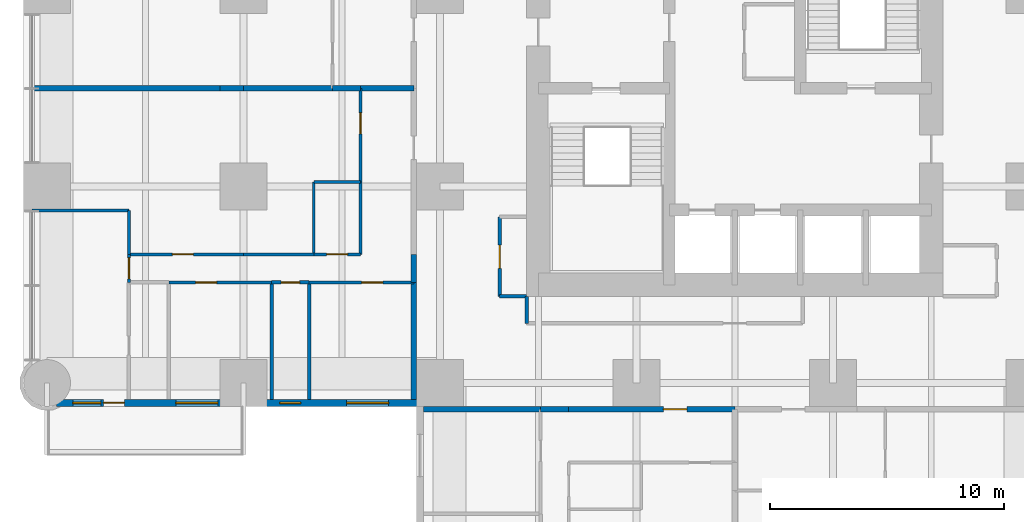
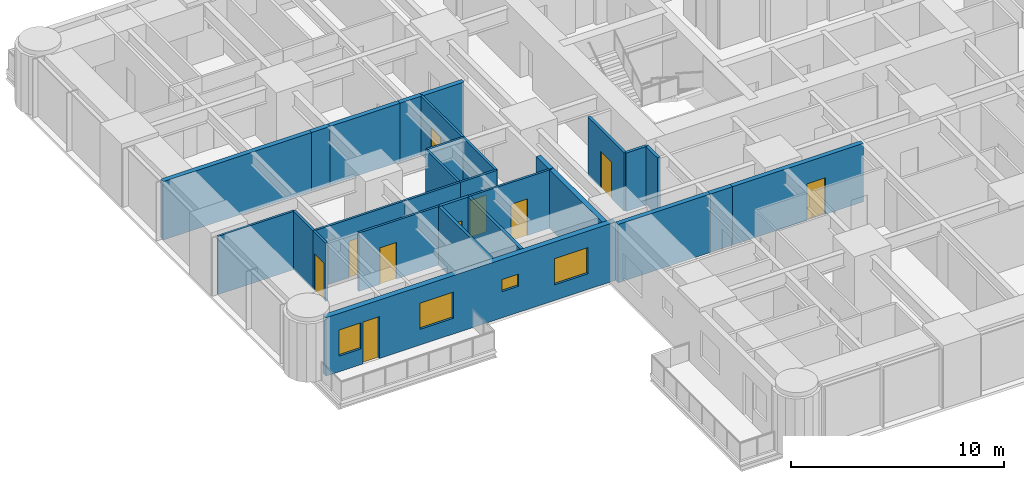
# One storey, part 8 of 17: 29 walls, 10 doors, 4 windows, 14 openings.
"""IFC4 building model written with IfcOpenShell, lengths in metres."""

from ifc_helpers import new_model, si_unit, direction, frame, frame_2d, origin, place, context, subcontext, project, spatial, rectangle, extrude, material, layer, layer_set, type_object, element, fill, save


model = new_model("IFC4")

# Units and contexts
model_context = context("Model", 3, precision=1e-05, world=origin(), true_north=direction((0.0, 1.0)))
body_context = subcontext(model_context, "Body", "Model", "MODEL_VIEW")
ifc_project = project(units=[si_unit("LENGTHUNIT", "METRE"), si_unit("AREAUNIT", "SQUARE_METRE"), si_unit("VOLUMEUNIT", "CUBIC_METRE"), si_unit("PLANEANGLEUNIT", "RADIAN"), si_unit("MASSUNIT", "GRAM", prefix="KILO")], contexts=[model_context])

# Site, building, storey
site_placement = place(None, origin())
site = spatial("IfcSite", under=ifc_project, at=site_placement, CompositionType="ELEMENT")
building_placement = place(site_placement, origin())
building = spatial("IfcBuilding", under=site, at=building_placement, Name="Torre Alcanfor", CompositionType="ELEMENT")
storey_placement = place(building_placement, frame((0.0, 0.0, 99.300048828125)))
storey = spatial("IfcBuildingStorey", under=building, at=storey_placement, Name="L25", CompositionType="ELEMENT", Elevation=99.300048828125)

# Wall, opening, door
ifc_material_1 = material(Name="Concrete block masonry, hollow blocks NMX-C-404 9 MPa", Category="masonry")
ifc_layer_1 = layer(ifc_material_1, 0.25)
ifc_layer_set_1 = layer_set([ifc_layer_1], Name="Apartment entrance wall 250 EI 60")
wall_type_1 = type_object("IfcWallType", Name="Apartment entrance wall 250 EI 60", PredefinedType="PARTITIONING", material=ifc_layer_set_1)
wall_1_placement = place(storey_placement, frame((29.39990234375, 15.675048828125, 0.0), z_axis=(0.0, 0.0, 1.0), x_axis=(-1.0, 0.0, 0.0)))
wall_1 = element("IfcWall", 1, at=wall_1_placement, inside=storey, type_object=wall_type_1, Name="Partition L25-CORR / L25-S2-ZAG", PredefinedType="PARTITIONING", context=body_context, shape_type="SweptSolid", body=[
    extrude(rectangle(XDim=7.099853515625, YDim=0.25, at=frame_2d((3.5498046875, 0.0))), origin(), (0.0, 0.0, 1.0), 3.349853515625),
])
opening_1_placement = place(wall_1_placement, frame((2.050048828125, 0.0, 0.0)))
opening_1 = element("IfcOpeningElement", 2, at=opening_1_placement, cuts=wall_1, Name="Opening D-A1", PredefinedType="OPENING", context=body_context, shape_type="SweptSolid", body=[
    extrude(rectangle(XDim=1.0, YDim=2.10009765625, at=frame_2d((0.5, 1.050048828125))), frame((0.0, 0.135009765625, 0.0), z_axis=(0.0, -1.0, 0.0), x_axis=(1.0, 0.0, 0.0)), (0.0, 0.0, 1.0), 0.27001953125),
])
ifc_material_2 = material(Name="Galvanised steel sheet ASTM A653", Category="steel")
door_type_1 = type_object("IfcDoorType", Name="Apartment entrance door FD60 1000x2100", OperationType="SINGLE_SWING_LEFT", PredefinedType="DOOR", material=ifc_material_2)
door_1_placement = place(opening_1_placement, origin())
door_1 = element("IfcDoor", 3, at=door_1_placement, inside=storey, type_object=door_type_1, Name="Apartment entrance L25-S2", OperationType="SINGLE_SWING_LEFT", OverallHeight=2.10009765625, OverallWidth=1.0, PredefinedType="DOOR", context=body_context, shape_type="SweptSolid", body=[
    extrude(rectangle(XDim=1.0, YDim=2.10009765625, at=frame_2d((0.5, 1.050048828125))), frame((0.0, 0.02490234375, 0.0), z_axis=(0.0, -1.0, 0.0), x_axis=(1.0, 0.0, 0.0)), (0.0, 0.0, 1.0), 0.050048828125),
])
fill(opening_1, door_1)

# Walls
wall_2_placement = place(storey_placement, frame((22.300048828125, 15.675048828125, 0.0), z_axis=(0.0, 0.0, 1.0), x_axis=(-1.0, 0.0, 0.0)))
element("IfcWall", 4, at=wall_2_placement, inside=storey, type_object=wall_type_1, Name="Partition L25-CORR / L25-S2-HALL", PredefinedType="PARTITIONING", context=body_context, shape_type="SweptSolid", body=[
    extrude(rectangle(XDim=1.199951171875, YDim=0.25, at=frame_2d((0.60009765625, 0.0))), origin(), (0.0, 0.0, 1.0), 3.349853515625),
])
wall_3_placement = place(storey_placement, frame((21.10009765625, 15.675048828125, 0.0), z_axis=(0.0, 0.0, 1.0), x_axis=(-1.0, 0.0, 0.0)))
element("IfcWall", 5, at=wall_3_placement, inside=storey, type_object=wall_type_1, Name="Partition L25-CORR / L25-S2-BED3", PredefinedType="PARTITIONING", context=body_context, shape_type="SweptSolid", body=[
    extrude(rectangle(XDim=5.0, YDim=0.25, at=frame_2d((2.5, 0.0))), origin(), (0.0, 0.0, 1.0), 3.349853515625),
])
wall_4_placement = place(storey_placement, frame((15.675048828125, 21.10009765625, 0.0), z_axis=(0.0, 0.0, 1.0), x_axis=(0.0, 1.0, 0.0)))
element("IfcWall", 6, at=wall_4_placement, inside=storey, type_object=wall_type_1, Name="Partition L25-CORR / L25-W1-HALL", PredefinedType="PARTITIONING", context=body_context, shape_type="SweptSolid", body=[
    extrude(rectangle(XDim=1.199951171875, YDim=0.25, at=frame_2d((0.60009765625, 0.0))), origin(), (0.0, 0.0, 1.0), 3.349853515625),
])
wall_5_placement = place(storey_placement, frame((15.675048828125, 16.10009765625, 0.0), z_axis=(0.0, 0.0, 1.0), x_axis=(0.0, 1.0, 0.0)))
element("IfcWall", 7, at=wall_5_placement, inside=storey, type_object=wall_type_1, Name="Partition L25-CORR / L25-W1-BED3", PredefinedType="PARTITIONING", context=body_context, shape_type="SweptSolid", body=[
    extrude(rectangle(XDim=5.0, YDim=0.25, at=frame_2d((2.5, 0.0))), origin(), (0.0, 0.0, 1.0), 3.349853515625),
])

# Wall, opening, door
ifc_material_3 = material(Name="Gypsum board on steel studs", Category="steel")
ifc_layer_2 = layer(ifc_material_3, 0.1201171875)
ifc_layer_set_2 = layer_set([ifc_layer_2], Name="Apartment partition 120")
wall_type_2 = type_object("IfcWallType", Name="Apartment partition 120", PredefinedType="PARTITIONING", material=ifc_layer_set_2)
wall_6_placement = place(storey_placement, frame((13.39990234375, 29.39990234375, 0.0), z_axis=(0.0, 0.0, 1.0), x_axis=(0.0, -1.0, 0.0)))
wall_6 = element("IfcWall", 8, at=wall_6_placement, inside=storey, type_object=wall_type_2, Name="Partition L25-W1-ZAG / L25-W1-KITCHEN", PredefinedType="PARTITIONING", context=body_context, shape_type="SweptSolid", body=[
    extrude(rectangle(XDim=4.0, YDim=0.1201171875, at=frame_2d((2.0, 0.0))), origin(), (0.0, 0.0, 1.0), 3.349853515625),
])
opening_2_placement = place(wall_6_placement, frame((1.050048828125, 0.0, 0.0)))
opening_2 = element("IfcOpeningElement", 9, at=opening_2_placement, cuts=wall_6, Name="Opening D-R1", PredefinedType="OPENING", context=body_context, shape_type="SweptSolid", body=[
    extrude(rectangle(XDim=0.89990234375, YDim=2.10009765625, at=frame_2d((0.449951171875, 1.050048828125))), frame((0.0, 0.070068359375, 0.0), z_axis=(0.0, -1.0, 0.0), x_axis=(1.0, 0.0, 0.0)), (0.0, 0.0, 1.0), 0.14013671875),
])
ifc_material_4 = material(Name="Timber", Category="wood")
door_type_2 = type_object("IfcDoorType", Name="Internal door 900x2100", OperationType="SINGLE_SWING_LEFT", PredefinedType="DOOR", material=ifc_material_4)
door_2_placement = place(opening_2_placement, frame((0.89990234375, 0.0, 0.0), z_axis=(0.0, 0.0, 1.0), x_axis=(-1.0, 0.0, 0.0)))
door_2 = element("IfcDoor", 10, at=door_2_placement, inside=storey, type_object=door_type_2, Name="Door L25-W1 kitchen", OperationType="SINGLE_SWING_RIGHT", OverallHeight=2.10009765625, OverallWidth=0.89990234375, PredefinedType="DOOR", context=body_context, shape_type="SweptSolid", body=[
    extrude(rectangle(XDim=0.89990234375, YDim=2.10009765625, at=frame_2d((0.449951171875, 1.050048828125))), frame((0.0, 0.025146484375, 0.0), z_axis=(0.0, -1.0, 0.0), x_axis=(1.0, 0.0, 0.0)), (0.0, 0.0, 1.0), 0.050048828125),
])
fill(opening_2, door_2)

# Walls
wall_7_placement = place(storey_placement, frame((13.39990234375, 25.39990234375, 0.0), z_axis=(0.0, 0.0, 1.0), x_axis=(0.0, -1.0, 0.0)))
element("IfcWall", 11, at=wall_7_placement, inside=storey, type_object=wall_type_2, Name="Partition L25-W1-ZAG / L25-W1-UTIL", PredefinedType="PARTITIONING", context=body_context, shape_type="SweptSolid", body=[
    extrude(rectangle(XDim=3.099853515625, YDim=0.1201171875, at=frame_2d((1.5498046875, 0.0))), origin(), (0.0, 0.0, 1.0), 3.349853515625),
])
wall_8_placement = place(storey_placement, frame((13.39990234375, 25.39990234375, 0.0), z_axis=(0.0, 0.0, 1.0), x_axis=(-1.0, 0.0, 0.0)))
element("IfcWall", 12, at=wall_8_placement, inside=storey, type_object=wall_type_2, Name="Partition L25-W1-KITCHEN / L25-W1-UTIL", PredefinedType="PARTITIONING", context=body_context, shape_type="SweptSolid", body=[
    extrude(rectangle(XDim=2.0, YDim=0.1201171875, at=frame_2d((1.0, 0.0))), origin(), (0.0, 0.0, 1.0), 3.349853515625),
])
wall_9_placement = place(storey_placement, frame((11.39990234375, 25.39990234375, 0.0), z_axis=(0.0, 0.0, 1.0), x_axis=(0.0, -1.0, 0.0)))
element("IfcWall", 13, at=wall_9_placement, inside=storey, type_object=wall_type_2, Name="Partition L25-W1-KITCHEN / L25-W1-UTIL", PredefinedType="PARTITIONING", context=body_context, shape_type="SweptSolid", body=[
    extrude(rectangle(XDim=3.099853515625, YDim=0.1201171875, at=frame_2d((1.5498046875, 0.0))), origin(), (0.0, 0.0, 1.0), 3.349853515625),
])
wall_10_placement = place(storey_placement, frame((11.39990234375, 22.300048828125, 0.0), z_axis=(0.0, 0.0, 1.0), x_axis=(-1.0, 0.0, 0.0)))
element("IfcWall", 14, at=wall_10_placement, inside=storey, type_object=wall_type_2, Name="Partition L25-W1-KITCHEN / L25-W1-HALL", PredefinedType="PARTITIONING", context=body_context, shape_type="SweptSolid", body=[
    extrude(rectangle(XDim=3.0, YDim=0.1201171875, at=frame_2d((1.5, 0.0))), origin(), (0.0, 0.0, 1.0), 3.349853515625),
])

# Wall, opening, door
wall_11_placement = place(storey_placement, frame((11.39990234375, 22.300048828125, 0.0), z_axis=(0.0, 0.0, 1.0), x_axis=(1.0, 0.0, 0.0)))
wall_11 = element("IfcWall", 15, at=wall_11_placement, inside=storey, type_object=wall_type_2, Name="Partition L25-W1-UTIL / L25-W1-HALL", PredefinedType="PARTITIONING", context=body_context, shape_type="SweptSolid", body=[
    extrude(rectangle(XDim=2.0, YDim=0.1201171875, at=frame_2d((1.0, 0.0))), origin(), (0.0, 0.0, 1.0), 3.349853515625),
])
opening_3_placement = place(wall_11_placement, frame((0.550048828125, 0.0, 0.0)))
opening_3 = element("IfcOpeningElement", 16, at=opening_3_placement, cuts=wall_11, Name="Opening D-R1", PredefinedType="OPENING", context=body_context, shape_type="SweptSolid", body=[
    extrude(rectangle(XDim=0.89990234375, YDim=2.10009765625, at=frame_2d((0.449951171875, 1.050048828125))), frame((0.0, 0.070068359375, 0.0), z_axis=(0.0, -1.0, 0.0), x_axis=(1.0, 0.0, 0.0)), (0.0, 0.0, 1.0), 0.14013671875),
])
door_3_placement = place(opening_3_placement, origin())
door_3 = element("IfcDoor", 17, at=door_3_placement, inside=storey, type_object=door_type_2, Name="Door L25-W1 util", OperationType="SINGLE_SWING_LEFT", OverallHeight=2.10009765625, OverallWidth=0.89990234375, PredefinedType="DOOR", context=body_context, shape_type="SweptSolid", body=[
    extrude(rectangle(XDim=0.89990234375, YDim=2.10009765625, at=frame_2d((0.449951171875, 1.050048828125))), frame((0.0, 0.02490234375, 0.0), z_axis=(0.0, -1.0, 0.0), x_axis=(1.0, 0.0, 0.0)), (0.0, 0.0, 1.0), 0.050048828125),
])
fill(opening_3, door_3)

wall_12_placement = place(storey_placement, frame((8.39990234375, 22.300048828125, 0.0), z_axis=(0.0, 0.0, 1.0), x_axis=(-1.0, 0.0, 0.0)))
wall_12 = element("IfcWall", 18, at=wall_12_placement, inside=storey, type_object=wall_type_2, Name="Partition L25-W1-LIVING / L25-W1-HALL", PredefinedType="PARTITIONING", context=body_context, shape_type="SweptSolid", body=[
    extrude(rectangle(XDim=4.89990234375, YDim=0.1201171875, at=frame_2d((2.449951171875, 0.0))), origin(), (0.0, 0.0, 1.0), 3.349853515625),
])
opening_4_placement = place(wall_12_placement, frame((2.14990234375, 0.0, 0.0)))
opening_4 = element("IfcOpeningElement", 19, at=opening_4_placement, cuts=wall_12, Name="Opening D-R1", PredefinedType="OPENING", context=body_context, shape_type="SweptSolid", body=[
    extrude(rectangle(XDim=0.89990234375, YDim=2.10009765625, at=frame_2d((0.449951171875, 1.050048828125))), frame((0.0, 0.070068359375, 0.0), z_axis=(0.0, -1.0, 0.0), x_axis=(1.0, 0.0, 0.0)), (0.0, 0.0, 1.0), 0.14013671875),
])
door_4_placement = place(opening_4_placement, frame((0.89990234375, 0.0, 0.0), z_axis=(0.0, 0.0, 1.0), x_axis=(-1.0, 0.0, 0.0)))
door_4 = element("IfcDoor", 20, at=door_4_placement, inside=storey, type_object=door_type_2, Name="Door L25-W1 living", OperationType="SINGLE_SWING_LEFT", OverallHeight=2.10009765625, OverallWidth=0.89990234375, PredefinedType="DOOR", context=body_context, shape_type="SweptSolid", body=[
    extrude(rectangle(XDim=0.89990234375, YDim=2.10009765625, at=frame_2d((0.449951171875, 1.050048828125))), frame((0.0, 0.025146484375, 0.0), z_axis=(0.0, -1.0, 0.0), x_axis=(1.0, 0.0, 0.0)), (0.0, 0.0, 1.0), 0.050048828125),
])
fill(opening_4, door_4)

# Walls
wall_13_placement = place(storey_placement, frame((3.5, 22.300048828125, 0.0), z_axis=(0.0, 0.0, 1.0), x_axis=(0.0, 1.0, 0.0)))
element("IfcWall", 21, at=wall_13_placement, inside=storey, type_object=wall_type_2, Name="Partition L25-W1-LIVING / L25-W1-MASTER", PredefinedType="PARTITIONING", context=body_context, shape_type="SweptSolid", body=[
    extrude(rectangle(XDim=1.870849609375, YDim=0.1201171875, at=frame_2d((0.935546875, 0.0))), origin(), (0.0, 0.0, 1.0), 3.349853515625),
])
wall_14_placement = place(storey_placement, frame((3.5, 24.1708984375, 0.0), z_axis=(0.0, 0.0, 1.0), x_axis=(-1.0, 0.0, 0.0)))
element("IfcWall", 22, at=wall_14_placement, inside=storey, type_object=wall_type_2, Name="Partition L25-W1-LIVING / L25-W1-MASTER", PredefinedType="PARTITIONING", context=body_context, shape_type="SweptSolid", body=[
    extrude(rectangle(XDim=4.14990234375, YDim=0.1201171875, at=frame_2d((2.074951171875, 0.0))), origin(), (0.0, 0.0, 1.0), 3.349853515625),
])

# Wall, opening, door
wall_15_placement = place(storey_placement, frame((11.199951171875, 21.10009765625, 0.0), z_axis=(0.0, 0.0, 1.0), x_axis=(1.0, 0.0, 0.0)))
wall_15 = element("IfcWall", 23, at=wall_15_placement, inside=storey, type_object=wall_type_2, Name="Partition L25-W1-HALL / L25-W1-BED3", PredefinedType="PARTITIONING", context=body_context, shape_type="SweptSolid", body=[
    extrude(rectangle(XDim=4.47509765625, YDim=0.1201171875, at=frame_2d((2.237548828125, 0.0))), origin(), (0.0, 0.0, 1.0), 3.349853515625),
])
opening_5_placement = place(wall_15_placement, frame((2.25, 0.0, 0.0)))
opening_5 = element("IfcOpeningElement", 24, at=opening_5_placement, cuts=wall_15, Name="Opening D-R1", PredefinedType="OPENING", context=body_context, shape_type="SweptSolid", body=[
    extrude(rectangle(XDim=0.89990234375, YDim=2.10009765625, at=frame_2d((0.449951171875, 1.050048828125))), frame((0.0, 0.070068359375, 0.0), z_axis=(0.0, -1.0, 0.0), x_axis=(1.0, 0.0, 0.0)), (0.0, 0.0, 1.0), 0.14013671875),
])
door_5_placement = place(opening_5_placement, frame((0.89990234375, 0.0, 0.0), z_axis=(0.0, 0.0, 1.0), x_axis=(-1.0, 0.0, 0.0)))
door_5 = element("IfcDoor", 25, at=door_5_placement, inside=storey, type_object=door_type_2, Name="Door L25-W1 bed3", OperationType="SINGLE_SWING_LEFT", OverallHeight=2.10009765625, OverallWidth=0.89990234375, PredefinedType="DOOR", context=body_context, shape_type="SweptSolid", body=[
    extrude(rectangle(XDim=0.89990234375, YDim=2.10009765625, at=frame_2d((0.449951171875, 1.050048828125))), frame((0.0, 0.025146484375, 0.0), z_axis=(0.0, -1.0, 0.0), x_axis=(1.0, 0.0, 0.0)), (0.0, 0.0, 1.0), 0.050048828125),
])
fill(opening_5, door_5)

wall_16_placement = place(storey_placement, frame((5.199951171875, 21.10009765625, 0.0), z_axis=(0.0, 0.0, 1.0), x_axis=(1.0, 0.0, 0.0)))
wall_16 = element("IfcWall", 26, at=wall_16_placement, inside=storey, type_object=wall_type_2, Name="Partition L25-W1-HALL / L25-W1-BED2", PredefinedType="PARTITIONING", context=body_context, shape_type="SweptSolid", body=[
    extrude(rectangle(XDim=4.400146484375, YDim=0.1201171875, at=frame_2d((2.2001953125, 0.0))), origin(), (0.0, 0.0, 1.0), 3.349853515625),
])
opening_6_placement = place(wall_16_placement, frame((1.14990234375, 0.0, 0.0)))
opening_6 = element("IfcOpeningElement", 27, at=opening_6_placement, cuts=wall_16, Name="Opening D-R1", PredefinedType="OPENING", context=body_context, shape_type="SweptSolid", body=[
    extrude(rectangle(XDim=0.89990234375, YDim=2.10009765625, at=frame_2d((0.449951171875, 1.050048828125))), frame((0.0, 0.070068359375, 0.0), z_axis=(0.0, -1.0, 0.0), x_axis=(1.0, 0.0, 0.0)), (0.0, 0.0, 1.0), 0.14013671875),
])
door_6_placement = place(opening_6_placement, frame((0.89990234375, 0.0, 0.0), z_axis=(0.0, 0.0, 1.0), x_axis=(-1.0, 0.0, 0.0)))
door_6 = element("IfcDoor", 28, at=door_6_placement, inside=storey, type_object=door_type_2, Name="Door L25-W1 bed2", OperationType="SINGLE_SWING_RIGHT", OverallHeight=2.10009765625, OverallWidth=0.89990234375, PredefinedType="DOOR", context=body_context, shape_type="SweptSolid", body=[
    extrude(rectangle(XDim=0.89990234375, YDim=2.10009765625, at=frame_2d((0.449951171875, 1.050048828125))), frame((0.0, 0.025146484375, 0.0), z_axis=(0.0, -1.0, 0.0), x_axis=(1.0, 0.0, 0.0)), (0.0, 0.0, 1.0), 0.050048828125),
])
fill(opening_6, door_6)

wall_17_placement = place(storey_placement, frame((3.5, 22.300048828125, 0.0), z_axis=(0.0, 0.0, 1.0), x_axis=(0.0, -1.0, 0.0)))
wall_17 = element("IfcWall", 29, at=wall_17_placement, inside=storey, type_object=wall_type_2, Name="Partition L25-W1-HALL / L25-W1-MASTER", PredefinedType="PARTITIONING", context=body_context, shape_type="SweptSolid", body=[
    extrude(rectangle(XDim=1.199951171875, YDim=0.1201171875, at=frame_2d((0.60009765625, 0.0))), origin(), (0.0, 0.0, 1.0), 3.349853515625),
])
opening_7_placement = place(wall_17_placement, frame((0.14990234375, 0.0, 0.0)))
opening_7 = element("IfcOpeningElement", 30, at=opening_7_placement, cuts=wall_17, Name="Opening D-R1", PredefinedType="OPENING", context=body_context, shape_type="SweptSolid", body=[
    extrude(rectangle(XDim=0.89990234375, YDim=2.10009765625, at=frame_2d((0.449951171875, 1.050048828125))), frame((0.0, 0.070068359375, 0.0), z_axis=(0.0, -1.0, 0.0), x_axis=(1.0, 0.0, 0.0)), (0.0, 0.0, 1.0), 0.14013671875),
])
door_7_placement = place(opening_7_placement, frame((0.89990234375, 0.0, 0.0), z_axis=(0.0, 0.0, 1.0), x_axis=(-1.0, 0.0, 0.0)))
door_7 = element("IfcDoor", 31, at=door_7_placement, inside=storey, type_object=door_type_2, Name="Door L25-W1 master", OperationType="SINGLE_SWING_RIGHT", OverallHeight=2.10009765625, OverallWidth=0.89990234375, PredefinedType="DOOR", context=body_context, shape_type="SweptSolid", body=[
    extrude(rectangle(XDim=0.89990234375, YDim=2.10009765625, at=frame_2d((0.449951171875, 1.050048828125))), frame((0.0, 0.025146484375, 0.0), z_axis=(0.0, -1.0, 0.0), x_axis=(1.0, 0.0, 0.0)), (0.0, 0.0, 1.0), 0.050048828125),
])
fill(opening_7, door_7)

# Wall, openings, door, windows
ifc_material_5 = material(Name="Limestone cladding", Category="masonry")
ifc_layer_3 = layer(ifc_material_5, 0.0400390625, Name="Facing")
ifc_material_6 = material(Name="Ventilated air cavity")
ifc_layer_4 = layer(ifc_material_6, 0.02001953125, ventilated=True, Name="Ventilated joint")
ifc_material_7 = material(Name="Mineral wool insulation", Category="insulation")
ifc_layer_5 = layer(ifc_material_7, 0.10009765625, Name="Insulation")
ifc_material_8 = material(Name="Concrete f'c 35 MPa", Category="concrete")
ifc_layer_6 = layer(ifc_material_8, 0.139892578125, Name="Backing")
ifc_layer_set_3 = layer_set([ifc_layer_3, ifc_layer_4, ifc_layer_5, ifc_layer_6], Name="External wall stone-clad 300")
wall_type_3 = type_object("IfcWallType", Name="External wall stone-clad 300", PredefinedType="SOLIDWALL", material=ifc_layer_set_3)
wall_18_placement = place(storey_placement, frame((0.39990234375, 15.949951171875, 0.0), z_axis=(0.0, 0.0, 1.0), x_axis=(1.0, 0.0, 0.0)))
wall_18 = element("IfcWall", 32, at=wall_18_placement, inside=storey, type_object=wall_type_3, Name="External wall L25 3", PredefinedType="SOLIDWALL", context=body_context, shape_type="SweptSolid", body=[
    extrude(rectangle(XDim=15.7001953125, YDim=0.300048828125, at=frame_2d((7.85009765625, 0.0))), origin(), (0.0, 0.0, 1.0), 3.349853515625),
])
opening_8_placement = place(wall_18_placement, frame((12.39990234375, 0.0, 0.89990234375)))
opening_8 = element("IfcOpeningElement", 33, at=opening_8_placement, cuts=wall_18, Name="Opening W2", PredefinedType="OPENING", context=body_context, shape_type="SweptSolid", body=[
    extrude(rectangle(XDim=1.800048828125, YDim=1.5, at=frame_2d((0.89990234375, 0.75))), frame((0.0, 0.159912109375, 0.0), z_axis=(0.0, -1.0, 0.0), x_axis=(1.0, 0.0, 0.0)), (0.0, 0.0, 1.0), 0.320068359375),
])
opening_9_placement = place(wall_18_placement, frame((9.550048828125, 0.0, 1.5)))
opening_9 = element("IfcOpeningElement", 34, at=opening_9_placement, cuts=wall_18, Name="Opening W3", PredefinedType="OPENING", context=body_context, shape_type="SweptSolid", body=[
    extrude(rectangle(XDim=0.89990234375, YDim=0.699951171875, at=frame_2d((0.449951171875, 0.35009765625))), frame((0.0, 0.159912109375, 0.0), z_axis=(0.0, -1.0, 0.0), x_axis=(1.0, 0.0, 0.0)), (0.0, 0.0, 1.0), 0.320068359375),
])
opening_10_placement = place(wall_18_placement, frame((5.10009765625, 0.0, 0.89990234375)))
opening_10 = element("IfcOpeningElement", 35, at=opening_10_placement, cuts=wall_18, Name="Opening W2", PredefinedType="OPENING", context=body_context, shape_type="SweptSolid", body=[
    extrude(rectangle(XDim=1.800048828125, YDim=1.5, at=frame_2d((0.89990234375, 0.75))), frame((0.0, 0.159912109375, 0.0), z_axis=(0.0, -1.0, 0.0), x_axis=(1.0, 0.0, 0.0)), (0.0, 0.0, 1.0), 0.320068359375),
])
opening_11_placement = place(wall_18_placement, frame((2.0, 0.0, 0.0)))
opening_11 = element("IfcOpeningElement", 36, at=opening_11_placement, cuts=wall_18, Name="Opening D-B1", PredefinedType="OPENING", context=body_context, shape_type="SweptSolid", body=[
    extrude(rectangle(XDim=0.89990234375, YDim=2.39990234375, at=frame_2d((0.449951171875, 1.199951171875))), frame((0.0, 0.159912109375, 0.0), z_axis=(0.0, -1.0, 0.0), x_axis=(1.0, 0.0, 0.0)), (0.0, 0.0, 1.0), 0.320068359375),
])
opening_12_placement = place(wall_18_placement, frame((0.699951171875, 0.0, 0.89990234375)))
opening_12 = element("IfcOpeningElement", 37, at=opening_12_placement, cuts=wall_18, Name="Opening W4", PredefinedType="OPENING", context=body_context, shape_type="SweptSolid", body=[
    extrude(rectangle(XDim=1.199951171875, YDim=1.5, at=frame_2d((0.60009765625, 0.75))), frame((0.0, 0.159912109375, 0.0), z_axis=(0.0, -1.0, 0.0), x_axis=(1.0, 0.0, 0.0)), (0.0, 0.0, 1.0), 0.320068359375),
])
ifc_material_9 = material(Name="Aluminium and glass", Category="aluminium")
door_type_3 = type_object("IfcDoorType", Name="Balcony door glazed 900x2400", OperationType="SINGLE_SWING_LEFT", PredefinedType="DOOR", material=ifc_material_9)
door_8_placement = place(opening_11_placement, origin())
door_8 = element("IfcDoor", 38, at=door_8_placement, inside=storey, type_object=door_type_3, Name="Balcony door L25-W1", OperationType="SINGLE_SWING_RIGHT", OverallHeight=2.39990234375, OverallWidth=0.89990234375, PredefinedType="DOOR", context=body_context, shape_type="SweptSolid", body=[
    extrude(rectangle(XDim=0.89990234375, YDim=2.39990234375, at=frame_2d((0.449951171875, 1.199951171875))), frame((0.0, 0.02490234375, 0.0), z_axis=(0.0, -1.0, 0.0), x_axis=(1.0, 0.0, 0.0)), (0.0, 0.0, 1.0), 0.050048828125),
])
fill(opening_11, door_8)
ifc_material_10 = material(Name="Aluminium frame with clear double glazing", Category="aluminium")
window_type_1 = type_object("IfcWindowType", Name="Window bathroom 900x700", PartitioningType="SINGLE_PANEL", PredefinedType="WINDOW", material=ifc_material_10)
window_1_placement = place(opening_9_placement, origin())
window_1 = element("IfcWindow", 39, at=window_1_placement, inside=storey, type_object=window_type_1, Name="Window W3 L25-W1", OverallHeight=0.699951171875, OverallWidth=0.89990234375, PartitioningType="SINGLE_PANEL", PredefinedType="WINDOW", context=body_context, shape_type="SweptSolid", body=[
    extrude(rectangle(XDim=0.89990234375, YDim=0.699951171875, at=frame_2d((0.449951171875, 0.35009765625))), frame((0.0, 0.030029296875, 0.0), z_axis=(0.0, -1.0, 0.0), x_axis=(1.0, 0.0, 0.0)), (0.0, 0.0, 1.0), 0.06005859375),
])
fill(opening_9, window_1)
ifc_material_11 = material(Name="Aluminium frame with clear double glazing", Category="aluminium")
window_type_2 = type_object("IfcWindowType", Name="Window bedroom 1200x1500", PartitioningType="SINGLE_PANEL", PredefinedType="WINDOW", material=ifc_material_11)
window_2_placement = place(opening_12_placement, origin())
window_2 = element("IfcWindow", 40, at=window_2_placement, inside=storey, type_object=window_type_2, Name="Window W4 L25-W1", OverallHeight=1.5, OverallWidth=1.199951171875, PartitioningType="SINGLE_PANEL", PredefinedType="WINDOW", context=body_context, shape_type="SweptSolid", body=[
    extrude(rectangle(XDim=1.199951171875, YDim=1.5, at=frame_2d((0.60009765625, 0.75))), frame((0.0, 0.030029296875, 0.0), z_axis=(0.0, -1.0, 0.0), x_axis=(1.0, 0.0, 0.0)), (0.0, 0.0, 1.0), 0.06005859375),
])
fill(opening_12, window_2)
ifc_material_12 = material(Name="Aluminium frame with clear double glazing", Category="aluminium")
window_type_3 = type_object("IfcWindowType", Name="Window bedroom 1800x1500", PartitioningType="SINGLE_PANEL", PredefinedType="WINDOW", material=ifc_material_12)
window_3_placement = place(opening_8_placement, origin())
window_3 = element("IfcWindow", 41, at=window_3_placement, inside=storey, type_object=window_type_3, Name="Window W2 L25-W1", OverallHeight=1.5, OverallWidth=1.800048828125, PartitioningType="SINGLE_PANEL", PredefinedType="WINDOW", context=body_context, shape_type="SweptSolid", body=[
    extrude(rectangle(XDim=1.800048828125, YDim=1.5, at=frame_2d((0.89990234375, 0.75))), frame((0.0, 0.030029296875, 0.0), z_axis=(0.0, -1.0, 0.0), x_axis=(1.0, 0.0, 0.0)), (0.0, 0.0, 1.0), 0.06005859375),
])
fill(opening_8, window_3)
window_4_placement = place(opening_10_placement, origin())
window_4 = element("IfcWindow", 42, at=window_4_placement, inside=storey, type_object=window_type_3, Name="Window W2 L25-W1", OverallHeight=1.5, OverallWidth=1.800048828125, PartitioningType="SINGLE_PANEL", PredefinedType="WINDOW", context=body_context, shape_type="SweptSolid", body=[
    extrude(rectangle(XDim=1.800048828125, YDim=1.5, at=frame_2d((0.89990234375, 0.75))), frame((0.0, 0.030029296875, 0.0), z_axis=(0.0, -1.0, 0.0), x_axis=(1.0, 0.0, 0.0)), (0.0, 0.0, 1.0), 0.06005859375),
])
fill(opening_10, window_4)

# Walls
ifc_material_13 = material(Name="Concrete block masonry, hollow blocks NMX-C-404 9 MPa", Category="masonry")
ifc_layer_7 = layer(ifc_material_13, 0.25)
ifc_layer_set_4 = layer_set([ifc_layer_7], Name="Party wall 250 EI 60")
wall_type_4 = type_object("IfcWallType", Name="Party wall 250 EI 60", PredefinedType="PARTITIONING", material=ifc_layer_set_4)
wall_19_placement = place(storey_placement, frame((15.675048828125, 29.39990234375, 0.0), z_axis=(0.0, 0.0, 1.0), x_axis=(-1.0, 0.0, 0.0)))
element("IfcWall", 43, at=wall_19_placement, inside=storey, type_object=wall_type_4, Name="Partition L25-W1-ZAG / L25-W2-ZAG", PredefinedType="PARTITIONING", context=body_context, shape_type="SweptSolid", body=[
    extrude(rectangle(XDim=2.275146484375, YDim=0.25, at=frame_2d((1.1376953125, 0.0))), origin(), (0.0, 0.0, 1.0), 3.349853515625),
])
wall_20_placement = place(storey_placement, frame((12.199951171875, 29.39990234375, 0.0), z_axis=(0.0, 0.0, 1.0), x_axis=(1.0, 0.0, 0.0)))
element("IfcWall", 44, at=wall_20_placement, inside=storey, type_object=wall_type_4, Name="Partition L25-W1-KITCHEN / L25-W2-ZAG", PredefinedType="PARTITIONING", context=body_context, shape_type="SweptSolid", body=[
    extrude(rectangle(XDim=1.199951171875, YDim=0.25, at=frame_2d((0.60009765625, 0.0))), origin(), (0.0, 0.0, 1.0), 3.349853515625),
])
wall_21_placement = place(storey_placement, frame((8.39990234375, 29.39990234375, 0.0), z_axis=(0.0, 0.0, 1.0), x_axis=(1.0, 0.0, 0.0)))
element("IfcWall", 45, at=wall_21_placement, inside=storey, type_object=wall_type_4, Name="Partition L25-W1-KITCHEN / L25-W2-KITCHEN", PredefinedType="PARTITIONING", context=body_context, shape_type="SweptSolid", body=[
    extrude(rectangle(XDim=3.800048828125, YDim=0.25, at=frame_2d((1.89990234375, 0.0))), origin(), (0.0, 0.0, 1.0), 3.349853515625),
])
wall_22_placement = place(storey_placement, frame((7.39990234375, 29.39990234375, 0.0), z_axis=(0.0, 0.0, 1.0), x_axis=(1.0, 0.0, 0.0)))
element("IfcWall", 46, at=wall_22_placement, inside=storey, type_object=wall_type_4, Name="Partition L25-W1-LIVING / L25-W2-KITCHEN", PredefinedType="PARTITIONING", context=body_context, shape_type="SweptSolid", body=[
    extrude(rectangle(XDim=1.0, YDim=0.25, at=frame_2d((0.5, 0.0))), origin(), (0.0, 0.0, 1.0), 3.349853515625),
])
wall_23_placement = place(storey_placement, frame((-0.64990234375, 29.39990234375, 0.0), z_axis=(0.0, 0.0, 1.0), x_axis=(1.0, 0.0, 0.0)))
element("IfcWall", 47, at=wall_23_placement, inside=storey, type_object=wall_type_4, Name="Partition L25-W1-LIVING / L25-W2-LIVING", PredefinedType="PARTITIONING", context=body_context, shape_type="SweptSolid", body=[
    extrude(rectangle(XDim=8.0498046875, YDim=0.25, at=frame_2d((4.02490234375, 0.0))), origin(), (0.0, 0.0, 1.0), 3.349853515625),
])
ifc_material_14 = material(Name="Concrete block masonry, hollow blocks NMX-C-404 9 MPa", Category="masonry")
ifc_layer_8 = layer(ifc_material_14, 0.14990234375)
ifc_layer_set_5 = layer_set([ifc_layer_8], Name="Residents' room partition 150")
wall_type_5 = type_object("IfcWallType", Name="Residents' room partition 150", PredefinedType="PARTITIONING", material=ifc_layer_set_5)
wall_24_placement = place(storey_placement, frame((20.5, 20.5, 0.0), z_axis=(0.0, 0.0, 1.0), x_axis=(0.0, -1.0, 0.0)))
element("IfcWall", 48, at=wall_24_placement, inside=storey, type_object=wall_type_5, Name="Partition L25-CORR / L25-G04", PredefinedType="PARTITIONING", context=body_context, shape_type="SweptSolid", body=[
    extrude(rectangle(XDim=1.14990234375, YDim=0.14990234375, at=frame_2d((0.574951171875, 0.0))), origin(), (0.0, 0.0, 1.0), 3.349853515625),
])

# Wall, opening, door
wall_25_placement = place(storey_placement, frame((19.35009765625, 23.89990234375, 0.0), z_axis=(0.0, 0.0, 1.0), x_axis=(0.0, -1.0, 0.0)))
wall_25 = element("IfcWall", 49, at=wall_25_placement, inside=storey, type_object=wall_type_5, Name="Partition L25-CORR / L25-G05", PredefinedType="PARTITIONING", context=body_context, shape_type="SweptSolid", body=[
    extrude(rectangle(XDim=3.39990234375, YDim=0.14990234375, at=frame_2d((1.699951171875, 0.0))), origin(), (0.0, 0.0, 1.0), 3.349853515625),
])
opening_13_placement = place(wall_25_placement, frame((1.199951171875, 0.0, 0.0)))
opening_13 = element("IfcOpeningElement", 50, at=opening_13_placement, cuts=wall_25, Name="Opening D-M1", PredefinedType="OPENING", context=body_context, shape_type="SweptSolid", body=[
    extrude(rectangle(XDim=1.0, YDim=2.10009765625, at=frame_2d((0.5, 1.050048828125))), frame((0.0, 0.0849609375, 0.0), z_axis=(0.0, -1.0, 0.0), x_axis=(1.0, 0.0, 0.0)), (0.0, 0.0, 1.0), 0.169921875),
])
ifc_material_15 = material(Name="Timber", Category="wood")
door_type_4 = type_object("IfcDoorType", Name="Residents' room door 1000x2100", OperationType="SINGLE_SWING_LEFT", PredefinedType="DOOR", material=ifc_material_15)
door_9_placement = place(opening_13_placement, origin())
door_9 = element("IfcDoor", 51, at=door_9_placement, inside=storey, type_object=door_type_4, Name="Door L25-G05 residents' storage lockers", OperationType="SINGLE_SWING_LEFT", OverallHeight=2.10009765625, OverallWidth=1.0, PredefinedType="DOOR", context=body_context, shape_type="SweptSolid", body=[
    extrude(rectangle(XDim=1.0, YDim=2.10009765625, at=frame_2d((0.5, 1.050048828125))), frame((0.0, 0.02490234375, 0.0), z_axis=(0.0, -1.0, 0.0), x_axis=(1.0, 0.0, 0.0)), (0.0, 0.0, 1.0), 0.050048828125),
])
fill(opening_13, door_9)

# Wall
wall_26_placement = place(storey_placement, frame((19.35009765625, 20.5, 0.0), z_axis=(0.0, 0.0, 1.0), x_axis=(1.0, 0.0, 0.0)))
element("IfcWall", 52, at=wall_26_placement, inside=storey, type_object=wall_type_5, Name="Partition L25-CORR / L25-G05", PredefinedType="PARTITIONING", context=body_context, shape_type="SweptSolid", body=[
    extrude(rectangle(XDim=1.14990234375, YDim=0.14990234375, at=frame_2d((0.574951171875, 0.0))), origin(), (0.0, 0.0, 1.0), 3.349853515625),
])

# Wall, opening, door
ifc_material_16 = material(Name="Cement board on steel studs", Category="steel")
ifc_layer_9 = layer(ifc_material_16, 0.14990234375)
ifc_layer_set_6 = layer_set([ifc_layer_9], Name="Wet area partition 150")
wall_type_6 = type_object("IfcWallType", Name="Wet area partition 150", PredefinedType="PARTITIONING", material=ifc_layer_set_6)
wall_27_placement = place(storey_placement, frame((9.60009765625, 21.10009765625, 0.0), z_axis=(0.0, 0.0, 1.0), x_axis=(1.0, 0.0, 0.0)))
wall_27 = element("IfcWall", 53, at=wall_27_placement, inside=storey, type_object=wall_type_6, Name="Partition L25-W1-HALL / L25-W1-BATH1", PredefinedType="PARTITIONING", context=body_context, shape_type="SweptSolid", body=[
    extrude(rectangle(XDim=1.599853515625, YDim=0.14990234375, at=frame_2d((0.7998046875, 0.0))), origin(), (0.0, 0.0, 1.0), 3.349853515625),
])
opening_14_placement = place(wall_27_placement, frame((0.39990234375, 0.0, 0.0)))
opening_14 = element("IfcOpeningElement", 54, at=opening_14_placement, cuts=wall_27, Name="Opening D-R2", PredefinedType="OPENING", context=body_context, shape_type="SweptSolid", body=[
    extrude(rectangle(XDim=0.800048828125, YDim=2.10009765625, at=frame_2d((0.39990234375, 1.050048828125))), frame((0.0, 0.0849609375, 0.0), z_axis=(0.0, -1.0, 0.0), x_axis=(1.0, 0.0, 0.0)), (0.0, 0.0, 1.0), 0.169921875),
])
ifc_material_17 = material(Name="Timber", Category="wood")
door_type_5 = type_object("IfcDoorType", Name="Bathroom door 800x2100", OperationType="SINGLE_SWING_LEFT", PredefinedType="DOOR", material=ifc_material_17)
door_10_placement = place(opening_14_placement, frame((0.800048828125, 0.0, 0.0), z_axis=(0.0, 0.0, 1.0), x_axis=(-1.0, 0.0, 0.0)))
door_10 = element("IfcDoor", 55, at=door_10_placement, inside=storey, type_object=door_type_5, Name="Door L25-W1 bath1", OperationType="SINGLE_SWING_RIGHT", OverallHeight=2.10009765625, OverallWidth=0.800048828125, PredefinedType="DOOR", context=body_context, shape_type="SweptSolid", body=[
    extrude(rectangle(XDim=0.800048828125, YDim=2.10009765625, at=frame_2d((0.400146484375, 1.050048828125))), frame((0.0, 0.025146484375, 0.0), z_axis=(0.0, -1.0, 0.0), x_axis=(1.0, 0.0, 0.0)), (0.0, 0.0, 1.0), 0.050048828125),
])
fill(opening_14, door_10)

# Walls
for number, where, z_axis, x_axis, name in (
    (56, (11.199951171875, 21.10009765625, 0.0), (0.0, 0.0, 1.0), (0.0, -1.0, 0.0), "Partition L25-W1-BED3 / L25-W1-BATH1"),
    (57, (9.60009765625, 21.10009765625, 0.0), (0.0, 0.0, 1.0), (0.0, -1.0, 0.0), "Partition L25-W1-BATH1 / L25-W1-BED2"),
):
    element("IfcWall", number, at=place(storey_placement, frame(where, z_axis=z_axis, x_axis=x_axis)), inside=storey, type_object=wall_type_6, Name=name, PredefinedType="PARTITIONING", context=body_context, shape_type="SweptSolid", body=[
        extrude(rectangle(XDim=5.0, YDim=0.14990234375, at=frame_2d((2.5, 0.0))), origin(), (0.0, 0.0, 1.0), 3.349853515625),
    ])

save(model, "model.ifc")
